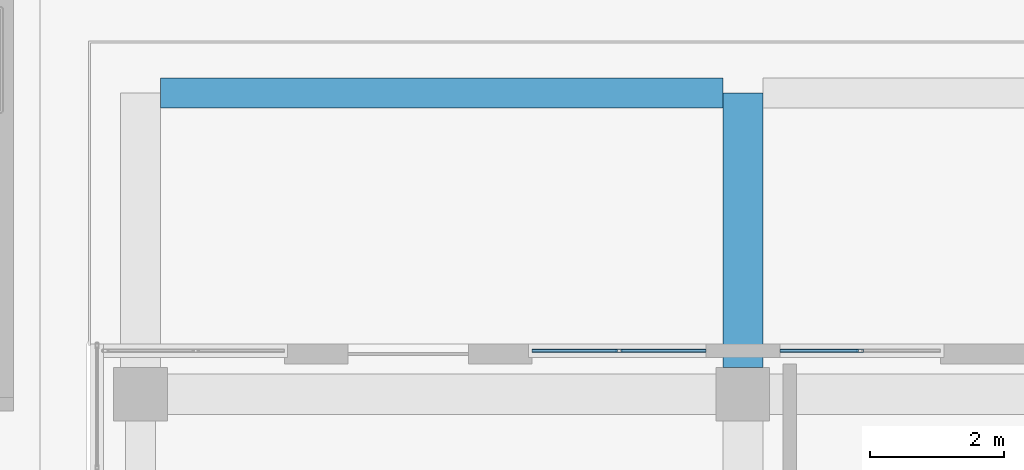
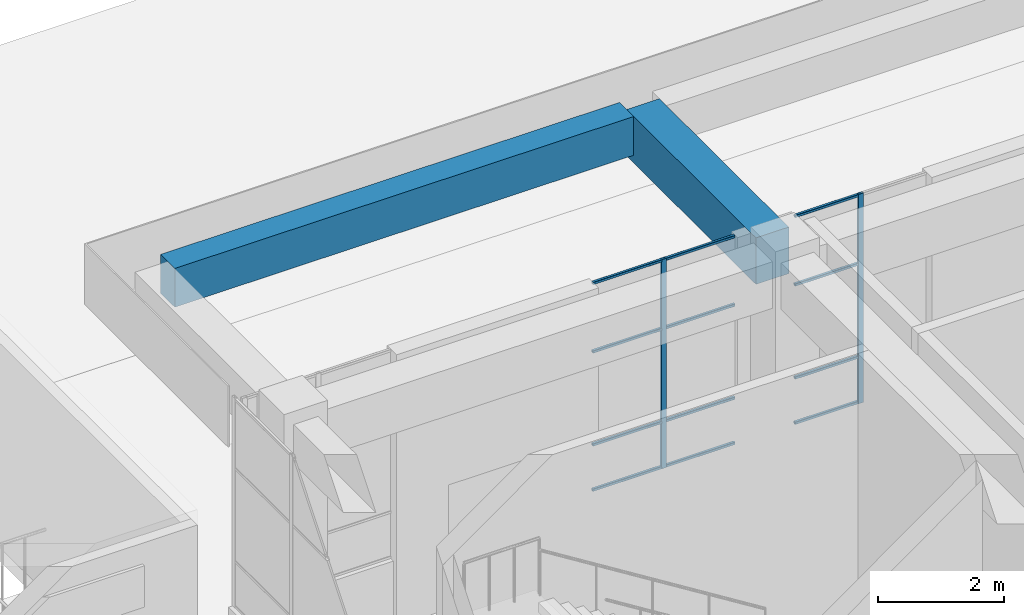
# One storey, part 29 of 72: 14 members, 2 beams, 2 elements without a shape of their own.
"""IFC4 building model written with IfcOpenShell, lengths in metres."""

from ifc_helpers import new_model, si_unit, direction, frame, origin, origin_2d, place, context, subcontext, project, spatial, rectangle, hollow_rectangle, extrude, material, layer, layer_set, material_profile, profile_set, type_object, element, aggregate, save


model = new_model("IFC4")

# Units and contexts
model_context = context("Model", 3, precision=1e-05, world=origin(), true_north=direction((0.0, 1.0)))
body_context = subcontext(model_context, "Body", "Model", "MODEL_VIEW")
ifc_project = project(units=[si_unit("LENGTHUNIT", "METRE"), si_unit("AREAUNIT", "SQUARE_METRE"), si_unit("VOLUMEUNIT", "CUBIC_METRE"), si_unit("PLANEANGLEUNIT", "RADIAN"), si_unit("MASSUNIT", "GRAM", prefix="KILO")], contexts=[model_context])

# Site, building, storey
site_placement = place(None, origin())
site = spatial("IfcSite", under=ifc_project, at=site_placement, CompositionType="ELEMENT")
building_placement = place(site_placement, origin())
building = spatial("IfcBuilding", under=site, at=building_placement, Name="Tuart Plaza Theatre", CompositionType="ELEMENT")
storey_placement = place(building_placement, origin())
storey = spatial("IfcBuildingStorey", under=building, at=storey_placement, Name="L00", CompositionType="ELEMENT", Elevation=0.0)

# Beams
ifc_material_1 = material(Name="Concrete N40 (40 MPa)", Category="concrete")
ifc_material_profile_1 = material_profile(ifc_material_1, rectangle(XDim=0.449951171875, YDim=0.75, at=origin_2d()), Name="BEAM 450x750 Concrete N40 (40 MPa)")
ifc_profile_set_1 = profile_set([ifc_material_profile_1], Name="Concrete N40 (40 MPa)")
beam_type_1 = type_object("IfcBeamType", Name="BEAM 450x750 Concrete N40 (40 MPa)", PredefinedType="BEAM", material=ifc_profile_set_1)
beam_1_placement = place(storey_placement, frame((114.300048828125, 96.5, 4.875), z_axis=(1.0, 0.0, 0.0), x_axis=(0.0, 1.0, 0.0)))
element("IfcBeam", 1, at=beam_1_placement, inside=storey, type_object=beam_type_1, Name="RB132", PredefinedType="BEAM", context=body_context, shape_type="SweptSolid", body=[
    extrude(rectangle(XDim=0.449951171875, YDim=0.75, at=origin_2d()), origin(), (0.0, 0.0, 1.0), 8.39990234375),
])
ifc_material_2 = material(Name="Concrete N40 (40 MPa)", Category="concrete")
ifc_material_profile_2 = material_profile(ifc_material_2, rectangle(XDim=0.60009765625, YDim=0.89990234375, at=origin_2d()), Name="BEAM 600x900 Concrete N40 (40 MPa)")
ifc_profile_set_2 = profile_set([ifc_material_profile_2], Name="Concrete N40 (40 MPa)")
beam_type_2 = type_object("IfcBeamType", Name="BEAM 600x900 Concrete N40 (40 MPa)", PredefinedType="BEAM", material=ifc_profile_set_2)
beam_2_placement = place(storey_placement, frame((123.0, 92.39990234375, 4.800048828125), z_axis=(0.0, 1.0, 0.0), x_axis=(-1.0, 0.0, 0.0)))
element("IfcBeam", 2, at=beam_2_placement, inside=storey, type_object=beam_type_2, Name="RB138", PredefinedType="BEAM", context=body_context, shape_type="SweptSolid", body=[
    extrude(rectangle(XDim=0.60009765625, YDim=0.89990234375, at=origin_2d()), origin(), (0.0, 0.0, 1.0), 4.10009765625),
])

# Curtain wall, member
ifc_material_3 = material(Name="Aluminium and glass", Category="aluminium")
ifc_layer_1 = layer(ifc_material_3, 0.10009765625)
ifc_layer_set_1 = layer_set([ifc_layer_1], Name="CURTAIN WALL 1250 module")
curtain_wall_type_1 = type_object("IfcCurtainWallType", Name="CURTAIN WALL 1250 module", PredefinedType="NOTDEFINED", material=ifc_layer_set_1)
curtain_wall_1_placement = place(storey_placement, origin())
curtain_wall_1 = element("IfcCurtainWall", 3, at=curtain_wall_1_placement, inside=storey, type_object=curtain_wall_type_1, Name="CW54", PredefinedType="NOTDEFINED")
ifc_material_4 = material(Name="Aluminium 6063-T5", Category="aluminium")
ifc_material_profile_3 = material_profile(ifc_material_4, hollow_rectangle(XDim=0.050048828125, YDim=0.10009765625, WallThickness=0.00390625, InnerFilletRadius=0.00390625, OuterFilletRadius=0.008056640625, at=origin_2d()), Name="RHS 100x50x4")
ifc_profile_set_3 = profile_set([ifc_material_profile_3], Name="Aluminium 6063-T5")
member_type_1 = type_object("IfcMemberType", Name="MULLION RHS 100x50x4", PredefinedType="MULLION", material=ifc_profile_set_3)
member_1_placement = place(storey_placement, frame((124.75, 92.64990234375, 1.199951171875), z_axis=(0.0, 0.0, 1.0), x_axis=(0.0, -1.0, 0.0)))
member_1 = element("IfcMember", 4, at=member_1_placement, type_object=member_type_1, Name="CW54 mullion 2", PredefinedType="MULLION", context=body_context, shape_type="SweptSolid", body=[
    extrude(hollow_rectangle(XDim=0.050048828125, YDim=0.10009765625, WallThickness=0.00390625, InnerFilletRadius=0.00390625, OuterFilletRadius=0.008056640625, at=origin_2d()), origin(), (0.0, 0.0, 1.0), 4.050048828125),
])

ifc_material_5 = material(Name="Aluminium and glass", Category="aluminium")
ifc_layer_2 = layer(ifc_material_5, 0.10009765625)
ifc_layer_set_2 = layer_set([ifc_layer_2], Name="CURTAIN WALL 1350 module")
curtain_wall_type_2 = type_object("IfcCurtainWallType", Name="CURTAIN WALL 1350 module", PredefinedType="NOTDEFINED", material=ifc_layer_set_2)
curtain_wall_2_placement = place(storey_placement, origin())
curtain_wall_2 = element("IfcCurtainWall", 5, at=curtain_wall_2_placement, inside=storey, type_object=curtain_wall_type_2, Name="CW55", PredefinedType="NOTDEFINED")
member_2_placement = place(storey_placement, frame((121.14990234375, 92.64990234375, 1.199951171875), z_axis=(0.0, 0.0, 1.0), x_axis=(0.0, -1.0, 0.0)))
member_2 = element("IfcMember", 6, at=member_2_placement, type_object=member_type_1, Name="CW55 mullion 2", PredefinedType="MULLION", context=body_context, shape_type="SweptSolid", body=[
    extrude(hollow_rectangle(XDim=0.050048828125, YDim=0.10009765625, WallThickness=0.00390625, InnerFilletRadius=0.00390625, OuterFilletRadius=0.008056640625, at=origin_2d()), origin(), (0.0, 0.0, 1.0), 4.050048828125),
])

# Member
ifc_material_6 = material(Name="Aluminium 6063-T5", Category="aluminium")
ifc_material_profile_4 = material_profile(ifc_material_6, hollow_rectangle(XDim=0.050048828125, YDim=0.050048828125, WallThickness=0.00390625, InnerFilletRadius=0.00390625, OuterFilletRadius=0.008056640625, at=origin_2d()), Name="RHS 50x50x4")
ifc_profile_set_4 = profile_set([ifc_material_profile_4], Name="Aluminium 6063-T5")
member_type_2 = type_object("IfcMemberType", Name="TRANSOM RHS 50x50x4", PredefinedType="USERDEFINED", material=ifc_profile_set_4)
member_3_placement = place(storey_placement, frame((124.72509765625, 92.64990234375, 1.22509765625), z_axis=(-1.0, 0.0, 0.0), x_axis=(0.0, -1.0, 0.0)))
member_3 = element("IfcMember", 7, at=member_3_placement, type_object=member_type_2, Name="CW54 transom 2.1", ObjectType="TRANSOM", PredefinedType="USERDEFINED", context=body_context, shape_type="SweptSolid", body=[
    extrude(hollow_rectangle(XDim=0.050048828125, YDim=0.050048828125, WallThickness=0.00390625, InnerFilletRadius=0.00390625, OuterFilletRadius=0.008056640625, at=origin_2d()), origin(), (0.0, 0.0, 1.0), 1.175048828125),
])

member_4_placement = place(storey_placement, frame((124.72509765625, 92.64990234375, 2.10009765625), z_axis=(-1.0, 0.0, 0.0), x_axis=(0.0, -1.0, 0.0)))
member_4 = element("IfcMember", 8, at=member_4_placement, type_object=member_type_2, Name="CW54 transom 2.2", ObjectType="TRANSOM", PredefinedType="USERDEFINED", context=body_context, shape_type="SweptSolid", body=[
    extrude(hollow_rectangle(XDim=0.050048828125, YDim=0.050048828125, WallThickness=0.00390625, InnerFilletRadius=0.00390625, OuterFilletRadius=0.008056640625, at=origin_2d()), origin(), (0.0, 0.0, 1.0), 1.175048828125),
])

member_5_placement = place(storey_placement, frame((124.72509765625, 92.64990234375, 3.89990234375), z_axis=(-1.0, 0.0, 0.0), x_axis=(0.0, -1.0, 0.0)))
member_5 = element("IfcMember", 9, at=member_5_placement, type_object=member_type_2, Name="CW54 transom 2.3", ObjectType="TRANSOM", PredefinedType="USERDEFINED", context=body_context, shape_type="SweptSolid", body=[
    extrude(hollow_rectangle(XDim=0.050048828125, YDim=0.050048828125, WallThickness=0.00390625, InnerFilletRadius=0.00390625, OuterFilletRadius=0.008056640625, at=origin_2d()), origin(), (0.0, 0.0, 1.0), 1.175048828125),
])

member_6_placement = place(storey_placement, frame((124.72509765625, 92.64990234375, 5.22509765625), z_axis=(-1.0, 0.0, 0.0), x_axis=(0.0, -1.0, 0.0)))
member_6 = element("IfcMember", 10, at=member_6_placement, type_object=member_type_2, Name="CW54 transom 2.4", ObjectType="TRANSOM", PredefinedType="USERDEFINED", context=body_context, shape_type="SweptSolid", body=[
    extrude(hollow_rectangle(XDim=0.050048828125, YDim=0.050048828125, WallThickness=0.00390625, InnerFilletRadius=0.00390625, OuterFilletRadius=0.008056640625, at=origin_2d()), origin(), (0.0, 0.0, 1.0), 1.175048828125),
])

aggregate(curtain_wall_1, [member_1, member_3, member_4, member_5, member_6])

member_7_placement = place(storey_placement, frame((122.449951171875, 92.64990234375, 1.22509765625), z_axis=(-1.0, 0.0, 0.0), x_axis=(0.0, -1.0, 0.0)))
member_7 = element("IfcMember", 11, at=member_7_placement, type_object=member_type_2, Name="CW55 transom 1.1", ObjectType="TRANSOM", PredefinedType="USERDEFINED", context=body_context, shape_type="SweptSolid", body=[
    extrude(hollow_rectangle(XDim=0.050048828125, YDim=0.050048828125, WallThickness=0.00390625, InnerFilletRadius=0.00390625, OuterFilletRadius=0.008056640625, at=origin_2d()), origin(), (0.0, 0.0, 1.0), 1.27490234375),
])

member_8_placement = place(storey_placement, frame((122.449951171875, 92.64990234375, 2.10009765625), z_axis=(-1.0, 0.0, 0.0), x_axis=(0.0, -1.0, 0.0)))
member_8 = element("IfcMember", 12, at=member_8_placement, type_object=member_type_2, Name="CW55 transom 1.2", ObjectType="TRANSOM", PredefinedType="USERDEFINED", context=body_context, shape_type="SweptSolid", body=[
    extrude(hollow_rectangle(XDim=0.050048828125, YDim=0.050048828125, WallThickness=0.00390625, InnerFilletRadius=0.00390625, OuterFilletRadius=0.008056640625, at=origin_2d()), origin(), (0.0, 0.0, 1.0), 1.27490234375),
])

member_9_placement = place(storey_placement, frame((122.449951171875, 92.64990234375, 3.89990234375), z_axis=(-1.0, 0.0, 0.0), x_axis=(0.0, -1.0, 0.0)))
member_9 = element("IfcMember", 13, at=member_9_placement, type_object=member_type_2, Name="CW55 transom 1.3", ObjectType="TRANSOM", PredefinedType="USERDEFINED", context=body_context, shape_type="SweptSolid", body=[
    extrude(hollow_rectangle(XDim=0.050048828125, YDim=0.050048828125, WallThickness=0.00390625, InnerFilletRadius=0.00390625, OuterFilletRadius=0.008056640625, at=origin_2d()), origin(), (0.0, 0.0, 1.0), 1.27490234375),
])

member_10_placement = place(storey_placement, frame((122.449951171875, 92.64990234375, 5.22509765625), z_axis=(-1.0, 0.0, 0.0), x_axis=(0.0, -1.0, 0.0)))
member_10 = element("IfcMember", 14, at=member_10_placement, type_object=member_type_2, Name="CW55 transom 1.4", ObjectType="TRANSOM", PredefinedType="USERDEFINED", context=body_context, shape_type="SweptSolid", body=[
    extrude(hollow_rectangle(XDim=0.050048828125, YDim=0.050048828125, WallThickness=0.00390625, InnerFilletRadius=0.00390625, OuterFilletRadius=0.008056640625, at=origin_2d()), origin(), (0.0, 0.0, 1.0), 1.27490234375),
])

member_11_placement = place(storey_placement, frame((121.125, 92.64990234375, 1.22509765625), z_axis=(-1.0, 0.0, 0.0), x_axis=(0.0, -1.0, 0.0)))
member_11 = element("IfcMember", 15, at=member_11_placement, type_object=member_type_2, Name="CW55 transom 2.1", ObjectType="TRANSOM", PredefinedType="USERDEFINED", context=body_context, shape_type="SweptSolid", body=[
    extrude(hollow_rectangle(XDim=0.050048828125, YDim=0.050048828125, WallThickness=0.00390625, InnerFilletRadius=0.00390625, OuterFilletRadius=0.008056640625, at=origin_2d()), origin(), (0.0, 0.0, 1.0), 1.27490234375),
])

member_12_placement = place(storey_placement, frame((121.125, 92.64990234375, 2.10009765625), z_axis=(-1.0, 0.0, 0.0), x_axis=(0.0, -1.0, 0.0)))
member_12 = element("IfcMember", 16, at=member_12_placement, type_object=member_type_2, Name="CW55 transom 2.2", ObjectType="TRANSOM", PredefinedType="USERDEFINED", context=body_context, shape_type="SweptSolid", body=[
    extrude(hollow_rectangle(XDim=0.050048828125, YDim=0.050048828125, WallThickness=0.00390625, InnerFilletRadius=0.00390625, OuterFilletRadius=0.008056640625, at=origin_2d()), origin(), (0.0, 0.0, 1.0), 1.27490234375),
])

member_13_placement = place(storey_placement, frame((121.125, 92.64990234375, 3.89990234375), z_axis=(-1.0, 0.0, 0.0), x_axis=(0.0, -1.0, 0.0)))
member_13 = element("IfcMember", 17, at=member_13_placement, type_object=member_type_2, Name="CW55 transom 2.3", ObjectType="TRANSOM", PredefinedType="USERDEFINED", context=body_context, shape_type="SweptSolid", body=[
    extrude(hollow_rectangle(XDim=0.050048828125, YDim=0.050048828125, WallThickness=0.00390625, InnerFilletRadius=0.00390625, OuterFilletRadius=0.008056640625, at=origin_2d()), origin(), (0.0, 0.0, 1.0), 1.27490234375),
])

member_14_placement = place(storey_placement, frame((121.125, 92.64990234375, 5.22509765625), z_axis=(-1.0, 0.0, 0.0), x_axis=(0.0, -1.0, 0.0)))
member_14 = element("IfcMember", 18, at=member_14_placement, type_object=member_type_2, Name="CW55 transom 2.4", ObjectType="TRANSOM", PredefinedType="USERDEFINED", context=body_context, shape_type="SweptSolid", body=[
    extrude(hollow_rectangle(XDim=0.050048828125, YDim=0.050048828125, WallThickness=0.00390625, InnerFilletRadius=0.00390625, OuterFilletRadius=0.008056640625, at=origin_2d()), origin(), (0.0, 0.0, 1.0), 1.27490234375),
])

aggregate(curtain_wall_2, [member_2, member_7, member_8, member_9, member_10, member_11, member_12, member_13, member_14])

save(model, "model.ifc")
